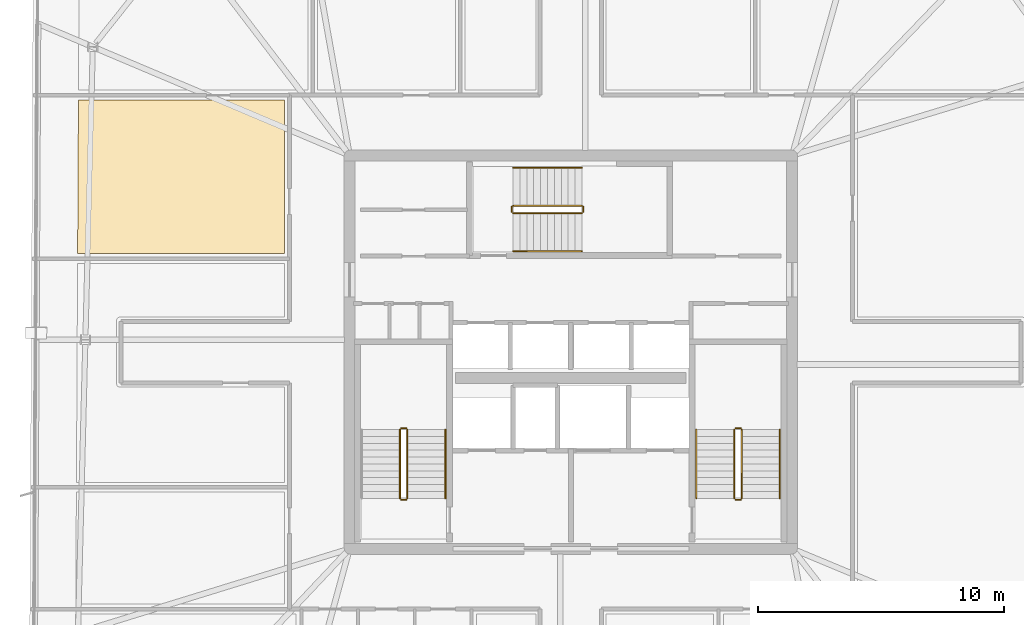
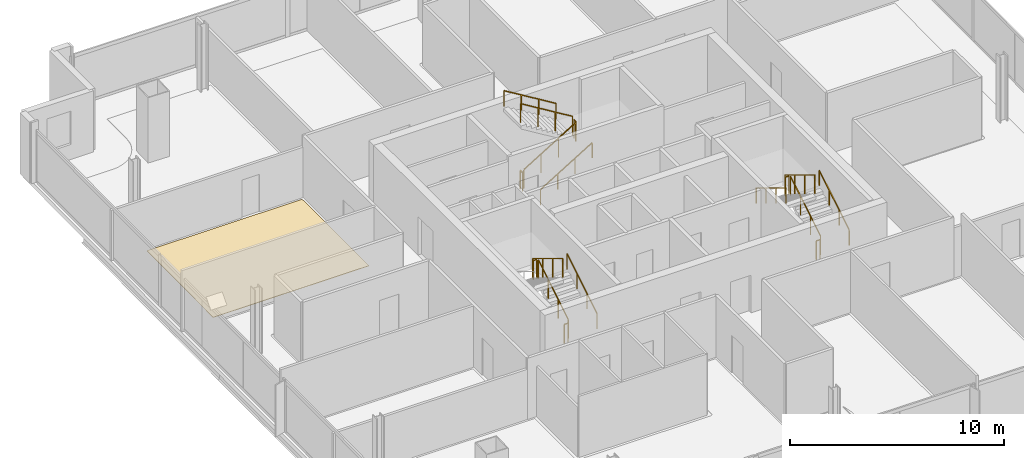
# One storey, part 23 of 24: 17 railings, 1 covering.
"""IFC4 building model written with IfcOpenShell, lengths in metres."""

from ifc_helpers import new_model, si_unit, direction, frame, origin, origin_2d, place, context, subcontext, project, spatial, polyline, rectangle, outline, extrude, material, layer, layer_set, type_object, element, save


model = new_model("IFC4")

# Units and contexts
model_context = context("Model", 3, precision=1e-05, world=origin(), true_north=direction((0.0, 1.0)))
body_context = subcontext(model_context, "Body", "Model", "MODEL_VIEW")
ifc_project = project(units=[si_unit("LENGTHUNIT", "METRE"), si_unit("AREAUNIT", "SQUARE_METRE"), si_unit("VOLUMEUNIT", "CUBIC_METRE"), si_unit("PLANEANGLEUNIT", "RADIAN"), si_unit("MASSUNIT", "GRAM", prefix="KILO")], contexts=[model_context])

# Site, building, storey
site_placement = place(None, origin())
site = spatial("IfcSite", under=ifc_project, at=site_placement, CompositionType="ELEMENT")
building_placement = place(site_placement, origin())
building = spatial("IfcBuilding", under=site, at=building_placement, Name="Haldenkirk Collegiate Tower", CompositionType="ELEMENT")
storey_placement = place(building_placement, frame((0.0, 0.0, 328.949951171875)))
storey = spatial("IfcBuildingStorey", under=building, at=storey_placement, Name="L83", CompositionType="ELEMENT", Elevation=328.949951171875)

# Covering
ifc_material_1 = material(Name="Polished collegiate terrazzo", Category="concrete")
ifc_layer = layer(ifc_material_1, 0.02490234375)
ifc_layer_set = layer_set([ifc_layer], Name="Polished collegiate terrazzo")
covering_type = type_object("IfcCoveringType", Name="COV-FLOOR-TERRAZZO", PredefinedType="FLOORING", material=ifc_layer_set)
covering_placement = place(storey_placement, origin())
element("IfcCovering", 1, at=covering_placement, inside=storey, type_object=covering_type, Name="L83 academic room finish 10", PredefinedType="FLOORING", context=body_context, shape_type="SweptSolid", body=[
    extrude(outline(polyline([(15.973388671875, 36.25), (24.35009765625, 36.25), (24.35009765625, 30.0), (15.940673828125, 30.0), (15.973388671875, 36.25)])), origin(), (0.0, 0.0, 1.0), 0.025146484375),
])

# Railings
ifc_material_2 = material(Name="Painted architectural tubular steel", Category="steel")
railing_type_1 = type_object("IfcRailingType", Name="RLG-STAIR-GUARD-1100", PredefinedType="BALUSTRADE", material=ifc_material_2)
railing_1_placement = place(storey_placement, frame((29.35009765625, 20.050048828125, 0.17041015625)))
element("IfcRailing", 2, at=railing_1_placement, inside=storey, type_object=railing_type_1, Name="L83 ST-1 stair guard 1", PredefinedType="BALUSTRADE", context=body_context, shape_type="SweptSolid", body=[
    extrude(rectangle(XDim=0.048095703125, YDim=0.048095703125, at=origin_2d()), frame((0.0, 0.0, 1.076171875), z_axis=(0.0, 0.854169791009, 0.51999420009), x_axis=(-1.0, 0.0, 0.0)), (0.0, 0.0, 1.0), 3.278076171875),
    extrude(rectangle(XDim=0.0419921875, YDim=0.0419921875, at=origin_2d()), origin(), (0.0, 0.0, 1.0), 1.052001953125),
    extrude(rectangle(XDim=0.0419921875, YDim=0.0419921875, at=origin_2d()), frame((0.0, 0.933349609375, 0.568115234375)), (0.0, 0.0, 1.0), 1.052001953125),
    extrude(rectangle(XDim=0.0419921875, YDim=0.0419921875, at=origin_2d()), frame((0.0, 1.86669921875, 1.136474609375)), (0.0, 0.0, 1.0), 1.052001953125),
    extrude(rectangle(XDim=0.0419921875, YDim=0.0419921875, at=origin_2d()), frame((0.0, 2.800048828125, 1.70458984375)), (0.0, 0.0, 1.0), 1.052001953125),
])
railing_2_placement = place(storey_placement, frame((29.300048828125, 22.89990234375, 1.875)))
element("IfcRailing", 3, at=railing_2_placement, inside=storey, type_object=railing_type_1, Name="L83 ST-1 stair guard 2", PredefinedType="BALUSTRADE", context=body_context, shape_type="SweptSolid", body=[
    extrude(rectangle(XDim=0.048095703125, YDim=0.048095703125, at=origin_2d()), frame((0.0, 0.0, 1.076171875), z_axis=(-1.0, 0.0, 0.0), x_axis=(0.0, -1.0, 0.0)), (0.0, 0.0, 1.0), 0.199951171875),
    extrude(rectangle(XDim=0.0419921875, YDim=0.0419921875, at=origin_2d()), origin(), (0.0, 0.0, 1.0), 1.052001953125),
    extrude(rectangle(XDim=0.0419921875, YDim=0.0419921875, at=origin_2d()), frame((-0.199951171875, 0.0, 0.0)), (0.0, 0.0, 1.0), 1.052001953125),
])
railing_3_placement = place(storey_placement, frame((29.050048828125, 22.85009765625, 2.04541015625)))
element("IfcRailing", 4, at=railing_3_placement, inside=storey, type_object=railing_type_1, Name="L83 ST-1 stair guard 3", PredefinedType="BALUSTRADE", context=body_context, shape_type="SweptSolid", body=[
    extrude(rectangle(XDim=0.048095703125, YDim=0.048095703125, at=origin_2d()), frame((0.0, 0.0, 1.076171875), z_axis=(0.0, -0.854169791009, 0.51999420009), x_axis=(1.0, 0.0, 0.0)), (0.0, 0.0, 1.0), 3.278076171875),
    extrude(rectangle(XDim=0.0419921875, YDim=0.0419921875, at=origin_2d()), origin(), (0.0, 0.0, 1.0), 1.052001953125),
    extrude(rectangle(XDim=0.0419921875, YDim=0.0419921875, at=origin_2d()), frame((0.0, -0.933349609375, 0.568115234375)), (0.0, 0.0, 1.0), 1.052001953125),
    extrude(rectangle(XDim=0.0419921875, YDim=0.0419921875, at=origin_2d()), frame((0.0, -1.86669921875, 1.136474609375)), (0.0, 0.0, 1.0), 1.052001953125),
    extrude(rectangle(XDim=0.0419921875, YDim=0.0419921875, at=origin_2d()), frame((0.0, -2.800048828125, 1.70458984375)), (0.0, 0.0, 1.0), 1.052001953125),
])
railing_4_placement = place(storey_placement, frame((29.300048828125, 20.0, 0.0)))
element("IfcRailing", 5, at=railing_4_placement, inside=storey, type_object=railing_type_1, Name="L83 ST-1 stair guard 4", PredefinedType="BALUSTRADE", context=body_context, shape_type="SweptSolid", body=[
    extrude(rectangle(XDim=0.048095703125, YDim=0.048095703125, at=origin_2d()), frame((0.0, 0.0, 1.076171875), z_axis=(-1.0, 0.0, 0.0), x_axis=(0.0, -1.0, 0.0)), (0.0, 0.0, 1.0), 0.199951171875),
    extrude(rectangle(XDim=0.0419921875, YDim=0.0419921875, at=origin_2d()), origin(), (0.0, 0.0, 1.0), 1.052001953125),
    extrude(rectangle(XDim=0.0419921875, YDim=0.0419921875, at=origin_2d()), frame((-0.199951171875, 0.0, 0.0)), (0.0, 0.0, 1.0), 1.052001953125),
])
railing_5_placement = place(storey_placement, frame((42.949951171875, 20.050048828125, 0.17041015625)))
element("IfcRailing", 6, at=railing_5_placement, inside=storey, type_object=railing_type_1, Name="L83 ST-2 stair guard 1", PredefinedType="BALUSTRADE", context=body_context, shape_type="SweptSolid", body=[
    extrude(rectangle(XDim=0.048095703125, YDim=0.048095703125, at=origin_2d()), frame((0.0, 0.0, 1.076171875), z_axis=(0.0, 0.854169791009, 0.51999420009), x_axis=(-1.0, 0.0, 0.0)), (0.0, 0.0, 1.0), 3.278076171875),
    extrude(rectangle(XDim=0.0419921875, YDim=0.0419921875, at=origin_2d()), origin(), (0.0, 0.0, 1.0), 1.052001953125),
    extrude(rectangle(XDim=0.0419921875, YDim=0.0419921875, at=origin_2d()), frame((0.0, 0.933349609375, 0.568115234375)), (0.0, 0.0, 1.0), 1.052001953125),
    extrude(rectangle(XDim=0.0419921875, YDim=0.0419921875, at=origin_2d()), frame((0.0, 1.86669921875, 1.136474609375)), (0.0, 0.0, 1.0), 1.052001953125),
    extrude(rectangle(XDim=0.0419921875, YDim=0.0419921875, at=origin_2d()), frame((0.0, 2.800048828125, 1.70458984375)), (0.0, 0.0, 1.0), 1.052001953125),
])
railing_6_placement = place(storey_placement, frame((42.89990234375, 22.89990234375, 1.875)))
element("IfcRailing", 7, at=railing_6_placement, inside=storey, type_object=railing_type_1, Name="L83 ST-2 stair guard 2", PredefinedType="BALUSTRADE", context=body_context, shape_type="SweptSolid", body=[
    extrude(rectangle(XDim=0.048095703125, YDim=0.048095703125, at=origin_2d()), frame((0.0, 0.0, 1.076171875), z_axis=(-1.0, 0.0, 0.0), x_axis=(0.0, -1.0, 0.0)), (0.0, 0.0, 1.0), 0.199951171875),
    extrude(rectangle(XDim=0.0419921875, YDim=0.0419921875, at=origin_2d()), origin(), (0.0, 0.0, 1.0), 1.052001953125),
    extrude(rectangle(XDim=0.0419921875, YDim=0.0419921875, at=origin_2d()), frame((-0.199951171875, 0.0, 0.0)), (0.0, 0.0, 1.0), 1.052001953125),
])
railing_7_placement = place(storey_placement, frame((42.64990234375, 22.85009765625, 2.04541015625)))
element("IfcRailing", 8, at=railing_7_placement, inside=storey, type_object=railing_type_1, Name="L83 ST-2 stair guard 3", PredefinedType="BALUSTRADE", context=body_context, shape_type="SweptSolid", body=[
    extrude(rectangle(XDim=0.048095703125, YDim=0.048095703125, at=origin_2d()), frame((0.0, 0.0, 1.076171875), z_axis=(0.0, -0.854169791009, 0.51999420009), x_axis=(1.0, 0.0, 0.0)), (0.0, 0.0, 1.0), 3.278076171875),
    extrude(rectangle(XDim=0.0419921875, YDim=0.0419921875, at=origin_2d()), origin(), (0.0, 0.0, 1.0), 1.052001953125),
    extrude(rectangle(XDim=0.0419921875, YDim=0.0419921875, at=origin_2d()), frame((0.0, -0.933349609375, 0.568115234375)), (0.0, 0.0, 1.0), 1.052001953125),
    extrude(rectangle(XDim=0.0419921875, YDim=0.0419921875, at=origin_2d()), frame((0.0, -1.86669921875, 1.136474609375)), (0.0, 0.0, 1.0), 1.052001953125),
    extrude(rectangle(XDim=0.0419921875, YDim=0.0419921875, at=origin_2d()), frame((0.0, -2.800048828125, 1.70458984375)), (0.0, 0.0, 1.0), 1.052001953125),
])
railing_8_placement = place(storey_placement, frame((42.89990234375, 20.0, 0.0)))
element("IfcRailing", 9, at=railing_8_placement, inside=storey, type_object=railing_type_1, Name="L83 ST-2 stair guard 4", PredefinedType="BALUSTRADE", context=body_context, shape_type="SweptSolid", body=[
    extrude(rectangle(XDim=0.048095703125, YDim=0.048095703125, at=origin_2d()), frame((0.0, 0.0, 1.076171875), z_axis=(-1.0, 0.0, 0.0), x_axis=(0.0, -1.0, 0.0)), (0.0, 0.0, 1.0), 0.199951171875),
    extrude(rectangle(XDim=0.0419921875, YDim=0.0419921875, at=origin_2d()), origin(), (0.0, 0.0, 1.0), 1.052001953125),
    extrude(rectangle(XDim=0.0419921875, YDim=0.0419921875, at=origin_2d()), frame((-0.199951171875, 0.0, 0.0)), (0.0, 0.0, 1.0), 1.052001953125),
])
railing_9_placement = place(storey_placement, frame((33.64990234375, 31.64990234375, 0.17041015625)))
element("IfcRailing", 10, at=railing_9_placement, inside=storey, type_object=railing_type_1, Name="L83 ST-3 stair guard 1", PredefinedType="BALUSTRADE", context=body_context, shape_type="SweptSolid", body=[
    extrude(rectangle(XDim=0.048095703125, YDim=0.048095703125, at=origin_2d()), frame((0.0, 0.0, 1.076171875), z_axis=(0.854169791009, 0.0, 0.51999420009), x_axis=(0.0, 1.0, 0.0)), (0.0, 0.0, 1.0), 3.278076171875),
    extrude(rectangle(XDim=0.0419921875, YDim=0.0419921875, at=origin_2d()), origin(), (0.0, 0.0, 1.0), 1.052001953125),
    extrude(rectangle(XDim=0.0419921875, YDim=0.0419921875, at=origin_2d()), frame((0.933349609375, 0.0, 0.568115234375)), (0.0, 0.0, 1.0), 1.052001953125),
    extrude(rectangle(XDim=0.0419921875, YDim=0.0419921875, at=origin_2d()), frame((1.86669921875, 0.0, 1.136474609375)), (0.0, 0.0, 1.0), 1.052001953125),
    extrude(rectangle(XDim=0.0419921875, YDim=0.0419921875, at=origin_2d()), frame((2.800048828125, 0.0, 1.70458984375)), (0.0, 0.0, 1.0), 1.052001953125),
])
railing_10_placement = place(storey_placement, frame((36.5, 31.699951171875, 1.875)))
element("IfcRailing", 11, at=railing_10_placement, inside=storey, type_object=railing_type_1, Name="L83 ST-3 stair guard 2", PredefinedType="BALUSTRADE", context=body_context, shape_type="SweptSolid", body=[
    extrude(rectangle(XDim=0.048095703125, YDim=0.048095703125, at=origin_2d()), frame((0.0, 0.0, 1.076171875), z_axis=(0.0, 1.0, 0.0), x_axis=(-1.0, 0.0, 0.0)), (0.0, 0.0, 1.0), 0.199951171875),
    extrude(rectangle(XDim=0.0419921875, YDim=0.0419921875, at=origin_2d()), origin(), (0.0, 0.0, 1.0), 1.052001953125),
    extrude(rectangle(XDim=0.0419921875, YDim=0.0419921875, at=origin_2d()), frame((0.0, 0.199951171875, 0.0)), (0.0, 0.0, 1.0), 1.052001953125),
])
railing_11_placement = place(storey_placement, frame((36.449951171875, 31.949951171875, 2.04541015625)))
element("IfcRailing", 12, at=railing_11_placement, inside=storey, type_object=railing_type_1, Name="L83 ST-3 stair guard 3", PredefinedType="BALUSTRADE", context=body_context, shape_type="SweptSolid", body=[
    extrude(rectangle(XDim=0.048095703125, YDim=0.048095703125, at=origin_2d()), frame((0.0, 0.0, 1.076171875), z_axis=(-0.854169791009, 0.0, 0.51999420009), x_axis=(0.0, -1.0, 0.0)), (0.0, 0.0, 1.0), 3.278076171875),
    extrude(rectangle(XDim=0.0419921875, YDim=0.0419921875, at=origin_2d()), origin(), (0.0, 0.0, 1.0), 1.052001953125),
    extrude(rectangle(XDim=0.0419921875, YDim=0.0419921875, at=origin_2d()), frame((-0.933349609375, 0.0, 0.568115234375)), (0.0, 0.0, 1.0), 1.052001953125),
    extrude(rectangle(XDim=0.0419921875, YDim=0.0419921875, at=origin_2d()), frame((-1.86669921875, 0.0, 1.136474609375)), (0.0, 0.0, 1.0), 1.052001953125),
    extrude(rectangle(XDim=0.0419921875, YDim=0.0419921875, at=origin_2d()), frame((-2.800048828125, 0.0, 1.70458984375)), (0.0, 0.0, 1.0), 1.052001953125),
])
railing_12_placement = place(storey_placement, frame((33.60009765625, 31.699951171875, 0.0)))
element("IfcRailing", 13, at=railing_12_placement, inside=storey, type_object=railing_type_1, Name="L83 ST-3 stair guard 4", PredefinedType="BALUSTRADE", context=body_context, shape_type="SweptSolid", body=[
    extrude(rectangle(XDim=0.048095703125, YDim=0.048095703125, at=origin_2d()), frame((0.0, 0.0, 1.076171875), z_axis=(0.0, 1.0, 0.0), x_axis=(-1.0, 0.0, 0.0)), (0.0, 0.0, 1.0), 0.199951171875),
    extrude(rectangle(XDim=0.0419921875, YDim=0.0419921875, at=origin_2d()), origin(), (0.0, 0.0, 1.0), 1.052001953125),
    extrude(rectangle(XDim=0.0419921875, YDim=0.0419921875, at=origin_2d()), frame((0.0, 0.199951171875, 0.0)), (0.0, 0.0, 1.0), 1.052001953125),
])
railing_type_2 = type_object("IfcRailingType", Name="RLG-STAIR-HANDRAIL-900", PredefinedType="HANDRAIL", material=ifc_material_2)
for number, where, name in (
    (14, (30.89990234375, 20.050048828125, 0.17041015625), "L83 ST-1 stair handrail 1"),
    (15, (44.5, 20.050048828125, 0.17041015625), "L83 ST-2 stair handrail 1"),
):
    element("IfcRailing", number, at=place(storey_placement, frame(where)), inside=storey, type_object=railing_type_2, Name=name, PredefinedType="HANDRAIL", context=body_context, shape_type="SweptSolid", body=[
        extrude(rectangle(XDim=0.048095703125, YDim=0.048095703125, at=origin_2d()), frame((0.0, 0.0, 0.8759765625), z_axis=(0.0, 0.854169791009, 0.51999420009), x_axis=(-1.0, 0.0, 0.0)), (0.0, 0.0, 1.0), 3.278076171875),
        extrude(rectangle(XDim=0.0419921875, YDim=0.0419921875, at=origin_2d()), origin(), (0.0, 0.0, 1.0), 0.851806640625),
        extrude(rectangle(XDim=0.0419921875, YDim=0.0419921875, at=origin_2d()), frame((0.0, 0.933349609375, 0.568115234375)), (0.0, 0.0, 1.0), 0.851806640625),
        extrude(rectangle(XDim=0.0419921875, YDim=0.0419921875, at=origin_2d()), frame((0.0, 1.86669921875, 1.136474609375)), (0.0, 0.0, 1.0), 0.851806640625),
        extrude(rectangle(XDim=0.0419921875, YDim=0.0419921875, at=origin_2d()), frame((0.0, 2.800048828125, 1.70458984375)), (0.0, 0.0, 1.0), 0.851806640625),
    ])
railing_13_placement = place(storey_placement, frame((41.10009765625, 22.85009765625, 2.04541015625)))
element("IfcRailing", 16, at=railing_13_placement, inside=storey, type_object=railing_type_2, Name="L83 ST-2 stair handrail 2", PredefinedType="HANDRAIL", context=body_context, shape_type="SweptSolid", body=[
    extrude(rectangle(XDim=0.048095703125, YDim=0.048095703125, at=origin_2d()), frame((0.0, 0.0, 0.8759765625), z_axis=(0.0, -0.854169791009, 0.51999420009), x_axis=(1.0, 0.0, 0.0)), (0.0, 0.0, 1.0), 3.278076171875),
    extrude(rectangle(XDim=0.0419921875, YDim=0.0419921875, at=origin_2d()), origin(), (0.0, 0.0, 1.0), 0.851806640625),
    extrude(rectangle(XDim=0.0419921875, YDim=0.0419921875, at=origin_2d()), frame((0.0, -0.933349609375, 0.568115234375)), (0.0, 0.0, 1.0), 0.851806640625),
    extrude(rectangle(XDim=0.0419921875, YDim=0.0419921875, at=origin_2d()), frame((0.0, -1.86669921875, 1.136474609375)), (0.0, 0.0, 1.0), 0.851806640625),
    extrude(rectangle(XDim=0.0419921875, YDim=0.0419921875, at=origin_2d()), frame((0.0, -2.800048828125, 1.70458984375)), (0.0, 0.0, 1.0), 0.851806640625),
])
railing_14_placement = place(storey_placement, frame((33.64990234375, 30.10009765625, 0.17041015625)))
element("IfcRailing", 17, at=railing_14_placement, inside=storey, type_object=railing_type_2, Name="L83 ST-3 stair handrail 1", PredefinedType="HANDRAIL", context=body_context, shape_type="SweptSolid", body=[
    extrude(rectangle(XDim=0.048095703125, YDim=0.048095703125, at=origin_2d()), frame((0.0, 0.0, 0.8759765625), z_axis=(0.854169791009, 0.0, 0.51999420009), x_axis=(0.0, 1.0, 0.0)), (0.0, 0.0, 1.0), 3.278076171875),
    extrude(rectangle(XDim=0.0419921875, YDim=0.0419921875, at=origin_2d()), origin(), (0.0, 0.0, 1.0), 0.851806640625),
    extrude(rectangle(XDim=0.0419921875, YDim=0.0419921875, at=origin_2d()), frame((0.933349609375, 0.0, 0.568115234375)), (0.0, 0.0, 1.0), 0.851806640625),
    extrude(rectangle(XDim=0.0419921875, YDim=0.0419921875, at=origin_2d()), frame((1.86669921875, 0.0, 1.136474609375)), (0.0, 0.0, 1.0), 0.851806640625),
    extrude(rectangle(XDim=0.0419921875, YDim=0.0419921875, at=origin_2d()), frame((2.800048828125, 0.0, 1.70458984375)), (0.0, 0.0, 1.0), 0.851806640625),
])
railing_15_placement = place(storey_placement, frame((36.449951171875, 33.5, 2.04541015625)))
element("IfcRailing", 18, at=railing_15_placement, inside=storey, type_object=railing_type_2, Name="L83 ST-3 stair handrail 2", PredefinedType="HANDRAIL", context=body_context, shape_type="SweptSolid", body=[
    extrude(rectangle(XDim=0.048095703125, YDim=0.048095703125, at=origin_2d()), frame((0.0, 0.0, 0.8759765625), z_axis=(-0.854169791009, 0.0, 0.51999420009), x_axis=(0.0, -1.0, 0.0)), (0.0, 0.0, 1.0), 3.278076171875),
    extrude(rectangle(XDim=0.0419921875, YDim=0.0419921875, at=origin_2d()), origin(), (0.0, 0.0, 1.0), 0.851806640625),
    extrude(rectangle(XDim=0.0419921875, YDim=0.0419921875, at=origin_2d()), frame((-0.933349609375, 0.0, 0.568115234375)), (0.0, 0.0, 1.0), 0.851806640625),
    extrude(rectangle(XDim=0.0419921875, YDim=0.0419921875, at=origin_2d()), frame((-1.86669921875, 0.0, 1.136474609375)), (0.0, 0.0, 1.0), 0.851806640625),
    extrude(rectangle(XDim=0.0419921875, YDim=0.0419921875, at=origin_2d()), frame((-2.800048828125, 0.0, 1.70458984375)), (0.0, 0.0, 1.0), 0.851806640625),
])

save(model, "model.ifc")
